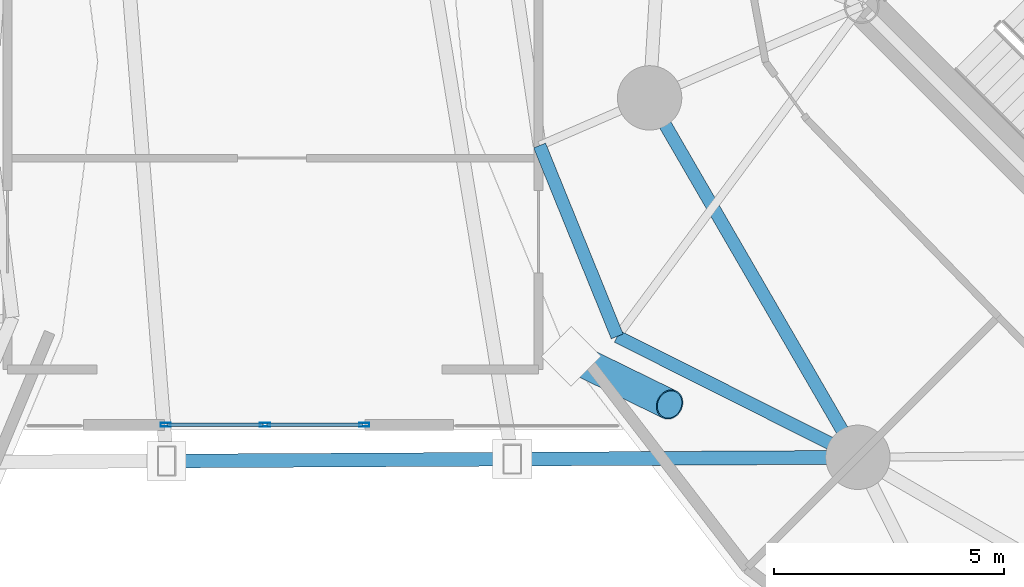
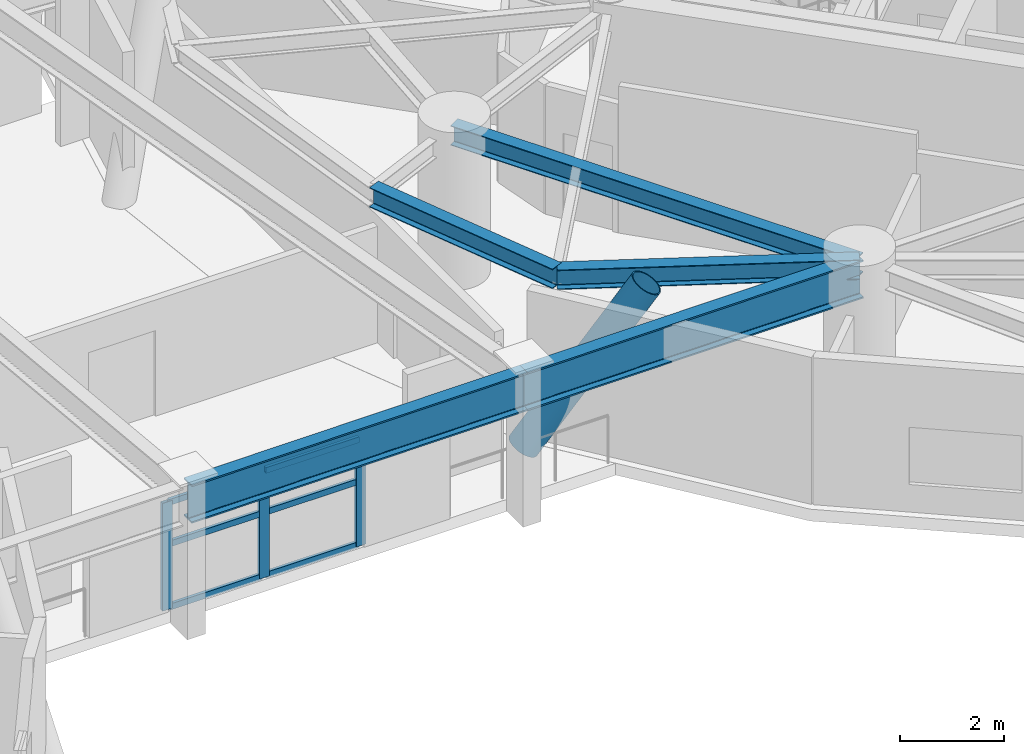
# One storey, part 4 of 20: 10 members, 5 beams, 1 element without a shape of its own.
"""IFC4 building model written with IfcOpenShell, lengths in metres."""

from ifc_helpers import new_model, si_unit, direction, frame, origin, origin_2d, place, context, subcontext, project, spatial, hollow_rectangle, hollow_circle, i_section, extrude, material, layer, layer_set, material_profile, profile_set, type_object, element, aggregate, save


model = new_model("IFC4")

# Units and contexts
model_context = context("Model", 3, precision=1e-05, world=origin(), true_north=direction((0.0, 1.0)))
body_context = subcontext(model_context, "Body", "Model", "MODEL_VIEW")
ifc_project = project(units=[si_unit("LENGTHUNIT", "METRE"), si_unit("AREAUNIT", "SQUARE_METRE"), si_unit("VOLUMEUNIT", "CUBIC_METRE"), si_unit("PLANEANGLEUNIT", "RADIAN"), si_unit("MASSUNIT", "GRAM", prefix="KILO")], contexts=[model_context])

# Site, building, storey
site_placement = place(None, origin())
site = spatial("IfcSite", under=ifc_project, at=site_placement, CompositionType="ELEMENT")
building_placement = place(site_placement, origin())
building = spatial("IfcBuilding", under=site, at=building_placement, Name="Cununo Teusaquillo Station Towers", CompositionType="ELEMENT")
storey_placement = place(building_placement, frame((0.0, 0.0, 140.320068359375)))
storey = spatial("IfcBuildingStorey", under=building, at=storey_placement, Name="L44", CompositionType="ELEMENT", Elevation=140.320068359375)

# Beams
ifc_material_1 = material(Name="Steel EN 10025-2 S355J2", Category="steel")
ifc_material_profile_1 = material_profile(ifc_material_1, i_section(OverallWidth=0.300048828125, OverallDepth=0.89990234375, WebThickness=0.0185546875, FlangeThickness=0.034912109375, FilletRadius=0.027099609375, at=origin_2d()), Name="HEB 900")
ifc_profile_set_1 = profile_set([ifc_material_profile_1], Name="Steel EN 10025-2 S355J2")
beam_type_1 = type_object("IfcBeamType", Name="BM-BRG-CH2", PredefinedType="BEAM", material=ifc_profile_set_1)
beam_1_placement = place(storey_placement, frame((33.862548828125, 15.81201171875, 3.02001953125), z_axis=(0.999985459376, 0.00539268359, 0.0), x_axis=(-0.00539268359, 0.999985459376, 0.0)))
element("IfcBeam", 1, at=beam_1_placement, inside=storey, type_object=beam_type_1, Name="L44 Mid-Bridge Chord S2", PredefinedType="BEAM", context=body_context, shape_type="SweptSolid", body=[
    extrude(i_section(OverallWidth=0.300048828125, OverallDepth=0.89990234375, WebThickness=0.0185546875, FlangeThickness=0.034912109375, FilletRadius=0.027099609375, at=origin_2d()), origin(), (0.0, 0.0, 1.0), 7.51513671875),
])
beam_2_placement = place(storey_placement, frame((41.377685546875, 15.8525390625, 3.02001953125), z_axis=(0.999985460321, 0.005392508411, 0.0), x_axis=(-0.005392508411, 0.999985460321, 0.0)))
element("IfcBeam", 2, at=beam_2_placement, inside=storey, type_object=beam_type_1, Name="L44 Mid-Bridge Chord S3", PredefinedType="BEAM", context=body_context, shape_type="SweptSolid", body=[
    extrude(i_section(OverallWidth=0.300048828125, OverallDepth=0.89990234375, WebThickness=0.0185546875, FlangeThickness=0.034912109375, FilletRadius=0.027099609375, at=origin_2d()), origin(), (0.0, 0.0, 1.0), 7.515380859375),
])
ifc_material_2 = material(Name="Steel ASTM A572 Grade 50", Category="steel")
ifc_material_profile_2 = material_profile(ifc_material_2, i_section(OverallWidth=0.280029296875, OverallDepth=0.462890625, WebThickness=0.0107421875, FlangeThickness=0.017333984375, FilletRadius=0.013916015625, at=origin_2d()), Name="W18X76")
ifc_profile_set_2 = profile_set([ifc_material_profile_2], Name="Steel ASTM A572 Grade 50")
beam_type_2 = type_object("IfcBeamType", Name="BM-RING-Z2", PredefinedType="SPANDREL", material=ifc_profile_set_2)
beam_3_placement = place(storey_placement, frame((44.36474609375, 23.708984375, 3.24853515625), z_axis=(0.501311121078, -0.865267103202, 0.0), x_axis=(0.865267103202, 0.501311121078, 0.0)))
element("IfcBeam", 3, at=beam_3_placement, inside=storey, type_object=beam_type_2, Name="L44 Tower B Structural Column Ring Girder 05", PredefinedType="SPANDREL", context=body_context, shape_type="SweptSolid", body=[
    extrude(i_section(OverallWidth=0.280029296875, OverallDepth=0.462890625, WebThickness=0.0107421875, FlangeThickness=0.017333984375, FilletRadius=0.013916015625, at=origin_2d()), origin(), (0.0, 0.0, 1.0), 9.032958984375),
])
beam_4_placement = place(storey_placement, frame((41.972412109375, 22.6728515625, 3.24853515625), z_axis=(0.376588942192, -0.926380466449, 0.0), x_axis=(0.926380466449, 0.376588942192, 0.0)))
element("IfcBeam", 4, at=beam_4_placement, inside=storey, type_object=beam_type_2, Name="L44 Tower B Spandrel Ring Beam 09", PredefinedType="SPANDREL", context=body_context, shape_type="SweptSolid", body=[
    extrude(i_section(OverallWidth=0.280029296875, OverallDepth=0.462890625, WebThickness=0.0107421875, FlangeThickness=0.017333984375, FilletRadius=0.013916015625, at=origin_2d()), origin(), (0.0, 0.0, 1.0), 4.48095703125),
])
beam_5_placement = place(storey_placement, frame((43.659912109375, 18.521728515625, 3.24853515625), z_axis=(0.893600228475, -0.448863711686, 0.0), x_axis=(0.448863711686, 0.893600228475, 0.0)))
element("IfcBeam", 5, at=beam_5_placement, inside=storey, type_object=beam_type_2, Name="L44 Tower B Spandrel Ring Beam 10", PredefinedType="SPANDREL", context=body_context, shape_type="SweptSolid", body=[
    extrude(i_section(OverallWidth=0.280029296875, OverallDepth=0.462890625, WebThickness=0.0107421875, FlangeThickness=0.017333984375, FilletRadius=0.013916015625, at=origin_2d()), origin(), (0.0, 0.0, 1.0), 5.856201171875),
])

# Curtain wall, members
ifc_material_3 = material(Name="Ceramic-fritted dark low-E double glazing", Category="glass")
ifc_layer = layer(ifc_material_3, 0.179931640625)
ifc_layer_set = layer_set([ifc_layer], Name="Ceramic-fritted dark low-E double glazing")
curtain_wall_type = type_object("IfcCurtainWallType", Name="CW-SYS-05", PredefinedType="USERDEFINED", material=ifc_layer_set)
curtain_wall_placement = place(storey_placement, origin())
curtain_wall = element("IfcCurtainWall", 6, at=curtain_wall_placement, inside=storey, type_object=curtain_wall_type, Name="L44 Mid-Bridge S Observation Curtain Wall", ObjectType="FRITTED GLAZING", PredefinedType="USERDEFINED")
ifc_material_4 = material(Name="Anodised dark bronze aluminium EN AW-6063-T6", Category="aluminium")
ifc_material_profile_3 = material_profile(ifc_material_4, hollow_rectangle(XDim=0.080078125, YDim=0.219970703125, WallThickness=0.0048828125, at=origin_2d()), Name="CW-MULL-80x220")
ifc_profile_set_3 = profile_set([ifc_material_profile_3], Name="Anodised dark bronze aluminium EN AW-6063-T6")
member_type_1 = type_object("IfcMemberType", Name="CWM-220", PredefinedType="MULLION", material=ifc_profile_set_3)
member_1_placement = place(storey_placement, frame((38.159912109375, 16.60009765625, 0.0), z_axis=(0.0, 0.0, 1.0), x_axis=(0.0, -1.0, 0.0)))
member_1 = element("IfcMember", 7, at=member_1_placement, type_object=member_type_1, Name="CW-05 mullion 1", PredefinedType="MULLION", context=body_context, shape_type="SweptSolid", body=[
    extrude(hollow_rectangle(XDim=0.080078125, YDim=0.219970703125, WallThickness=0.0048828125, at=origin_2d()), origin(), (0.0, 0.0, 1.0), 2.5419921875),
])
member_2_placement = place(storey_placement, frame((36.0, 16.60009765625, 0.0), z_axis=(0.0, 0.0, 1.0), x_axis=(0.0, -1.0, 0.0)))
member_2 = element("IfcMember", 8, at=member_2_placement, type_object=member_type_1, Name="CW-05 mullion 2", PredefinedType="MULLION", context=body_context, shape_type="SweptSolid", body=[
    extrude(hollow_rectangle(XDim=0.080078125, YDim=0.219970703125, WallThickness=0.0048828125, at=origin_2d()), origin(), (0.0, 0.0, 1.0), 2.5419921875),
])
member_3_placement = place(storey_placement, frame((33.840087890625, 16.60009765625, 0.0), z_axis=(0.0, 0.0, 1.0), x_axis=(0.0, -1.0, 0.0)))
member_3 = element("IfcMember", 9, at=member_3_placement, type_object=member_type_1, Name="CW-05 mullion 3", PredefinedType="MULLION", context=body_context, shape_type="SweptSolid", body=[
    extrude(hollow_rectangle(XDim=0.080078125, YDim=0.219970703125, WallThickness=0.0048828125, at=origin_2d()), origin(), (0.0, 0.0, 1.0), 2.5419921875),
])
ifc_material_5 = material(Name="Anodised dark bronze aluminium EN AW-6063-T6", Category="aluminium")
ifc_material_profile_4 = material_profile(ifc_material_5, hollow_rectangle(XDim=0.070068359375, YDim=0.139892578125, WallThickness=0.00390625, at=origin_2d()), Name="CW-TRAN-70x140")
ifc_profile_set_4 = profile_set([ifc_material_profile_4], Name="Anodised dark bronze aluminium EN AW-6063-T6")
member_type_2 = type_object("IfcMemberType", Name="CWT-140", PredefinedType="USERDEFINED", material=ifc_profile_set_4)
member_4_placement = place(storey_placement, frame((38.1201171875, 16.60009765625, 0.034912109375), z_axis=(-1.0, 0.0, 0.0), x_axis=(0.0, -1.0, 0.0)))
member_4 = element("IfcMember", 10, at=member_4_placement, type_object=member_type_2, Name="CW-05 transom 1.1", ObjectType="TRANSOM", PredefinedType="USERDEFINED", context=body_context, shape_type="SweptSolid", body=[
    extrude(hollow_rectangle(XDim=0.070068359375, YDim=0.139892578125, WallThickness=0.00390625, at=origin_2d()), origin(), (0.0, 0.0, 1.0), 2.080078125),
])
member_5_placement = place(storey_placement, frame((38.1201171875, 16.60009765625, 1.52490234375), z_axis=(-1.0, 0.0, 0.0), x_axis=(0.0, -1.0, 0.0)))
member_5 = element("IfcMember", 11, at=member_5_placement, type_object=member_type_2, Name="CW-05 transom 1.2", ObjectType="TRANSOM", PredefinedType="USERDEFINED", context=body_context, shape_type="SweptSolid", body=[
    extrude(hollow_rectangle(XDim=0.070068359375, YDim=0.139892578125, WallThickness=0.00390625, at=origin_2d()), origin(), (0.0, 0.0, 1.0), 2.080078125),
])
member_6_placement = place(storey_placement, frame((38.1201171875, 16.60009765625, 2.5068359375), z_axis=(-1.0, 0.0, 0.0), x_axis=(0.0, -1.0, 0.0)))
member_6 = element("IfcMember", 12, at=member_6_placement, type_object=member_type_2, Name="CW-05 transom 1.3", ObjectType="TRANSOM", PredefinedType="USERDEFINED", context=body_context, shape_type="SweptSolid", body=[
    extrude(hollow_rectangle(XDim=0.070068359375, YDim=0.139892578125, WallThickness=0.00390625, at=origin_2d()), origin(), (0.0, 0.0, 1.0), 2.080078125),
])
member_7_placement = place(storey_placement, frame((35.9599609375, 16.60009765625, 0.034912109375), z_axis=(-1.0, 0.0, 0.0), x_axis=(0.0, -1.0, 0.0)))
member_7 = element("IfcMember", 13, at=member_7_placement, type_object=member_type_2, Name="CW-05 transom 2.1", ObjectType="TRANSOM", PredefinedType="USERDEFINED", context=body_context, shape_type="SweptSolid", body=[
    extrude(hollow_rectangle(XDim=0.070068359375, YDim=0.139892578125, WallThickness=0.00390625, at=origin_2d()), origin(), (0.0, 0.0, 1.0), 2.080078125),
])
member_8_placement = place(storey_placement, frame((35.9599609375, 16.60009765625, 1.52490234375), z_axis=(-1.0, 0.0, 0.0), x_axis=(0.0, -1.0, 0.0)))
member_8 = element("IfcMember", 14, at=member_8_placement, type_object=member_type_2, Name="CW-05 transom 2.2", ObjectType="TRANSOM", PredefinedType="USERDEFINED", context=body_context, shape_type="SweptSolid", body=[
    extrude(hollow_rectangle(XDim=0.070068359375, YDim=0.139892578125, WallThickness=0.00390625, at=origin_2d()), origin(), (0.0, 0.0, 1.0), 2.080078125),
])
member_9_placement = place(storey_placement, frame((35.9599609375, 16.60009765625, 2.5068359375), z_axis=(-1.0, 0.0, 0.0), x_axis=(0.0, -1.0, 0.0)))
member_9 = element("IfcMember", 15, at=member_9_placement, type_object=member_type_2, Name="CW-05 transom 2.3", ObjectType="TRANSOM", PredefinedType="USERDEFINED", context=body_context, shape_type="SweptSolid", body=[
    extrude(hollow_rectangle(XDim=0.070068359375, YDim=0.139892578125, WallThickness=0.00390625, at=origin_2d()), origin(), (0.0, 0.0, 1.0), 2.080078125),
])
aggregate(curtain_wall, [member_1, member_2, member_3, member_4, member_5, member_6, member_7, member_8, member_9])

# Member
ifc_material_6 = material(Name="Steel EN 10025-2 S355J2", Category="steel")
ifc_material_profile_5 = material_profile(ifc_material_6, hollow_circle(Radius=0.330078125, WallThickness=0.02490234375, at=origin_2d()), Name="CHS 660x25")
ifc_profile_set_5 = profile_set([ifc_material_profile_5], Name="Steel EN 10025-2 S355J2")
member_type_3 = type_object("IfcMemberType", Name="MBR-DIAG-Z2", PredefinedType="BRACE", material=ifc_profile_set_5)
member_10_placement = place(storey_placement, frame((42.658935546875, 18.0888671875, -0.14013671875), z_axis=(0.484624204576, -0.237062467233, 0.84198620355), x_axis=(0.439412199043, 0.89828554443, 0.0)))
element("IfcMember", 16, at=member_10_placement, inside=storey, type_object=member_type_3, Name="L44 Tower B Folded-Zigzag Diagrid Tube C09", PredefinedType="BRACE", context=body_context, shape_type="SweptSolid", body=[
    extrude(hollow_circle(Radius=0.330078125, WallThickness=0.02490234375, at=origin_2d()), origin(), (0.0, 0.0, 1.0), 4.41796875),
])

save(model, "model.ifc")
